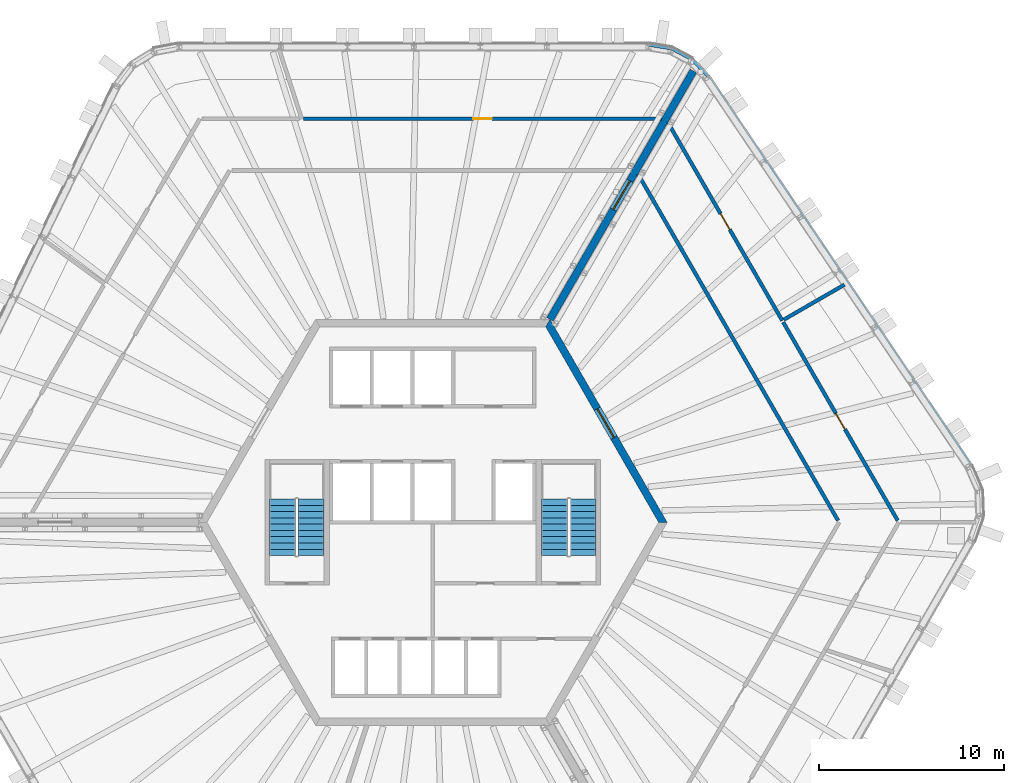
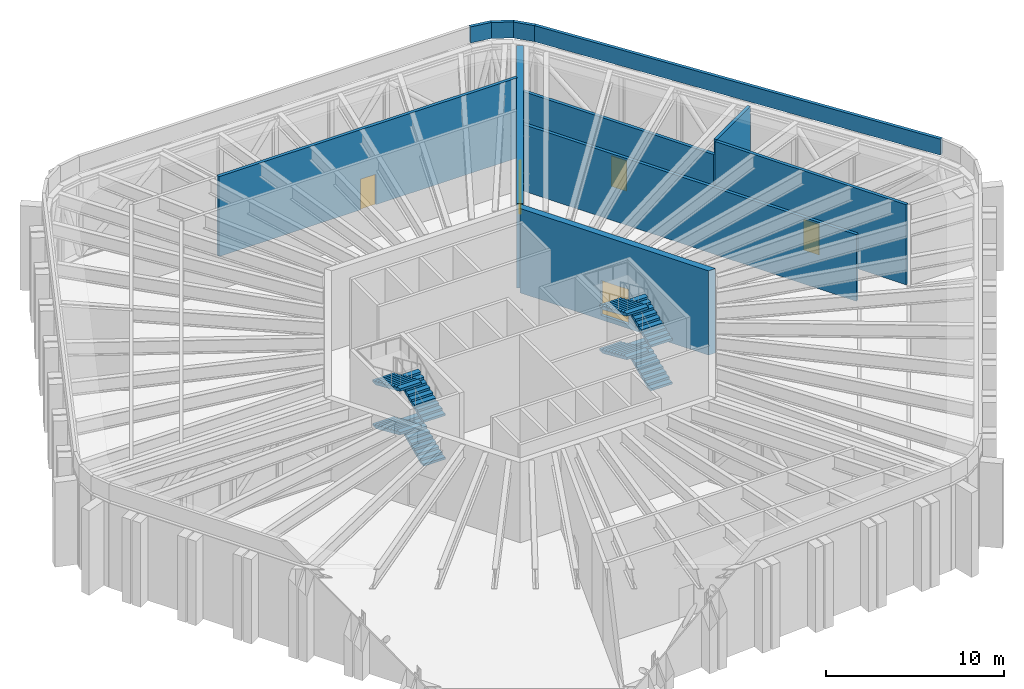
# One storey, part 12 of 19: 11 walls, 8 stair flights, 5 doors, 5 openings, 2 elements without a shape of their own.
"""IFC4 building model written with IfcOpenShell, lengths in metres."""

import ifcopenshell
import ifcopenshell.guid

model = None  # the IFC model being written
_history = None  # IfcOwnerHistory: only IFC2X3 demands one
_inside = {}  # id of a spatial element -> (the spatial element, [elements in it])
_under = {}  # id of a project, library or spatial element -> (it, [spatial elements below it])
_declared = {}  # id of a project -> (the project, [libraries it declares])
_typed = {}  # id of a type object -> (the type object, [elements of that type])
_made_of = {}  # id of a material, layer set ... -> (it, [elements and type objects made of it])


def new_model(schema):
    """Start an empty IFC model of exactly this schema.

    Asked for "IFC4X3", IfcOpenShell would pick the latest addendum, in which some entities
    have other attributes; the version numbers below select the first issue.
    IFC2X3 requires an IfcOwnerHistory on every rooted entity: one is made here for all.
    """
    global model, _history
    if schema == "IFC4X3":
        model = ifcopenshell.file(schema_version=(4, 3, 0, 0))
    else:
        model = ifcopenshell.file(schema=schema)
    _inside.clear()
    _under.clear()
    _declared.clear()
    _typed.clear()
    _made_of.clear()
    _history = None
    if model.schema == "IFC2X3":
        org = make("IfcOrganization", Name="unknown")
        user = make(
            "IfcPersonAndOrganization",
            ThePerson=make("IfcPerson", FamilyName="unknown"),
            TheOrganization=org,
        )
        app = make(
            "IfcApplication",
            ApplicationDeveloper=org,
            Version="unknown",
            ApplicationFullName="unknown",
            ApplicationIdentifier="unknown",
        )
        _history = make(
            "IfcOwnerHistory",
            OwningUser=user,
            OwningApplication=app,
            ChangeAction="ADDED",
            CreationDate=0,
        )
    return model


def make(cls, **values):
    """One entity of the class cls with the attributes given. An attribute that is None is left unset."""
    return model.create_entity(
        cls, **{name: value for name, value in values.items() if value is not None}
    )


def rooted(cls, **values):
    """An entity with a GlobalId (a new one), such as an element, a storey or a relation."""
    return make(cls, GlobalId=ifcopenshell.guid.new(), OwnerHistory=_history, **values)


def si_unit(unit_type, name, prefix=None):
    """IfcSIUnit, for example si_unit("LENGTHUNIT", "METRE", prefix="MILLI")."""
    return make("IfcSIUnit", UnitType=unit_type, Prefix=prefix, Name=name)


def assignment(units):
    """IfcUnitAssignment: the units of a project."""
    return None if units is None else make("IfcUnitAssignment", Units=units)


def point(xyz):
    """IfcCartesianPoint."""
    return None if xyz is None else make("IfcCartesianPoint", Coordinates=xyz)


def direction(xyz):
    """IfcDirection."""
    return None if xyz is None else make("IfcDirection", DirectionRatios=xyz)


def frame(location, z_axis=None, x_axis=None):
    """IfcAxis2Placement3D, a coordinate frame: its origin and axes. An axis left out is left unset."""
    return make(
        "IfcAxis2Placement3D",
        Location=point(location),
        Axis=direction(z_axis),
        RefDirection=direction(x_axis),
    )


def frame_2d(location, x_axis=None):
    """IfcAxis2Placement2D, a coordinate frame in the plane: its origin and x axis."""
    return make(
        "IfcAxis2Placement2D", Location=point(location), RefDirection=direction(x_axis)
    )


def origin():
    """The frame at (0, 0, 0) with its axes left unset."""
    return frame((0.0, 0.0, 0.0))


def place(relative_to, where):
    """IfcLocalPlacement: puts the frame where relative to a parent placement (None: the world)."""
    return make(
        "IfcLocalPlacement", PlacementRelTo=relative_to, RelativePlacement=where
    )


def context(
    kind, dimensions, precision=None, world=None, true_north=None, identifier=None
):
    """IfcGeometricRepresentationContext, for example the 3D "Model" context."""
    return make(
        "IfcGeometricRepresentationContext",
        ContextIdentifier=identifier,
        ContextType=kind,
        CoordinateSpaceDimension=dimensions,
        Precision=precision,
        WorldCoordinateSystem=world,
        TrueNorth=true_north,
    )


def subcontext(parent, identifier, kind, view, scale=None):
    """IfcGeometricRepresentationSubContext, for example "Body" below "Model"."""
    return make(
        "IfcGeometricRepresentationSubContext",
        ContextIdentifier=identifier,
        ContextType=kind,
        ParentContext=parent,
        TargetScale=scale,
        TargetView=view,
    )


def project(units=None, contexts=None):
    """IfcProject with its units and contexts."""
    return rooted(
        "IfcProject",
        Name="project",
        RepresentationContexts=contexts,
        UnitsInContext=assignment(units),
    )


def spatial(cls, under=None, at=None, **own):
    """A site, building, storey or space (cls), placed at a placement, below another one or the project."""
    s = rooted(cls, ObjectPlacement=at, **own)
    if under is not None:
        _under.setdefault(under.id(), (under, []))[1].append(s)
    return s


def polyline(points):
    """IfcPolyline through the points."""
    return make("IfcPolyline", Points=[point(p) for p in points])


def profile(cls, at=None, kind="AREA", **sizes):
    """A parametric profile (cls). Its sizes go by their IFC names, for example OverallWidth=200.0."""
    return make(cls, ProfileType=kind, Position=at, **sizes)


def rectangle(**sizes):
    """IfcRectangleProfileDef."""
    return profile("IfcRectangleProfileDef", **sizes)


def outline(outer, holes=None, kind="AREA"):
    """IfcArbitraryClosedProfileDef: a profile drawn as a closed curve; with holes, ...WithVoids."""
    if holes is None:
        return make("IfcArbitraryClosedProfileDef", ProfileType=kind, OuterCurve=outer)
    return make(
        "IfcArbitraryProfileDefWithVoids",
        ProfileType=kind,
        OuterCurve=outer,
        InnerCurves=holes,
    )


def extrude(swept, where, along, depth):
    """IfcExtrudedAreaSolid: the profile swept, set in the frame where, extruded along a direction by depth."""
    return make(
        "IfcExtrudedAreaSolid",
        SweptArea=swept,
        Position=where,
        ExtrudedDirection=direction(along),
        Depth=depth,
    )


def shape(context_of_items, identifier, shape_type, items):
    """IfcShapeRepresentation: the items that make up one representation, for example the "Body"."""
    return make(
        "IfcShapeRepresentation",
        ContextOfItems=context_of_items,
        RepresentationIdentifier=identifier,
        RepresentationType=shape_type,
        Items=items,
    )


def material(Name=None, Category=None):
    """IfcMaterial."""
    return make("IfcMaterial", Name=Name, Category=Category)


def layer(
    of_material, thickness, ventilated=None, Name=None, Category=None, Priority=None
):
    """IfcMaterialLayer: one layer of a wall or slab, of a material (None: an air gap)."""
    return make(
        "IfcMaterialLayer",
        Material=of_material,
        LayerThickness=thickness,
        IsVentilated=ventilated,
        Name=Name,
        Category=Category,
        Priority=Priority,
    )


def layer_set(layers, Name=None):
    """IfcMaterialLayerSet."""
    return make("IfcMaterialLayerSet", MaterialLayers=layers, LayerSetName=Name)


def made_of(thing, what):
    """Note that an element or type object is made of a material, layer set ...; save() writes the relation."""
    if what is not None:
        _made_of.setdefault(what.id(), (what, []))[1].append(thing)
    return thing


def type_object(cls, material=None, **own):
    """A type object (cls), such as IfcWallType, which elements share."""
    return made_of(rooted(cls, **own), material)


def element(
    cls,
    number,
    at=None,
    inside=None,
    cuts=None,
    type_object=None,
    material=None,
    context=None,
    identifier="Body",
    shape_type=None,
    held_by="IfcProductDefinitionShape",
    body=None,
    shapes=None,
    **own,
):
    """One element of the class cls, such as IfcWall. Its Tag is "e" and its number.

    at: its placement. inside: the storey or other place that contains it. cuts: it is an
    opening in that element (IfcRelVoidsElement). A single representation is given by context,
    identifier, shape_type and body (its items); several are given by shapes. held_by: the class
    of the entity that holds the representations. save() writes the other relations.
    """
    e = rooted(cls, Tag="e%d" % number, ObjectPlacement=at, **own)
    if body is not None:
        shapes = [shape(context, identifier, shape_type, body)]
    if shapes is not None:
        e.Representation = make(held_by, Representations=shapes)
    if inside is not None:
        _inside.setdefault(inside.id(), (inside, []))[1].append(e)
    if cuts is not None:
        rooted(
            "IfcRelVoidsElement", RelatingBuildingElement=cuts, RelatedOpeningElement=e
        )
    if type_object is not None:
        _typed.setdefault(type_object.id(), (type_object, []))[1].append(e)
    return made_of(e, material)


def fill(opening, filler):
    """IfcRelFillsElement: the door or window that sits in an opening."""
    return rooted(
        "IfcRelFillsElement",
        RelatingOpeningElement=opening,
        RelatedBuildingElement=filler,
    )


def aggregate(whole, parts):
    """IfcRelAggregates: a whole, such as a stair, and the parts it consists of."""
    return rooted("IfcRelAggregates", RelatingObject=whole, RelatedObjects=parts)


def save(model, path):
    """Write the relations noted so far, then the file.

    IfcRelAggregates (storeys below a building ...), IfcRelContainedInSpatialStructure (elements
    in a storey), IfcRelDefinesByType, IfcRelAssociatesMaterial and IfcRelDeclares: one each for
    every whole, place, type object, material and project.
    """
    for whole, parts in _under.values():
        aggregate(whole, parts)
    for where, things in _inside.values():
        rooted(
            "IfcRelContainedInSpatialStructure",
            RelatedElements=things,
            RelatingStructure=where,
        )
    for kind, things in _typed.values():
        rooted("IfcRelDefinesByType", RelatedObjects=things, RelatingType=kind)
    for what, things in _made_of.values():
        rooted("IfcRelAssociatesMaterial", RelatedObjects=things, RelatingMaterial=what)
    for by, libraries in _declared.values():
        rooted("IfcRelDeclares", RelatingContext=by, RelatedDefinitions=libraries)
    model.write(path)


model = new_model("IFC4")

# Units and contexts
model_context = context("Model", 3, precision=1e-05, world=origin(), true_north=direction((0.0, 1.0)))
body_context = subcontext(model_context, "Body", "Model", "MODEL_VIEW")
ifc_project = project(units=[si_unit("LENGTHUNIT", "METRE"), si_unit("AREAUNIT", "SQUARE_METRE"), si_unit("VOLUMEUNIT", "CUBIC_METRE"), si_unit("PLANEANGLEUNIT", "RADIAN"), si_unit("MASSUNIT", "GRAM", prefix="KILO")], contexts=[model_context])

# Site, building, storey
site_placement = place(None, origin())
site = spatial("IfcSite", under=ifc_project, at=site_placement, CompositionType="ELEMENT")
building_placement = place(site_placement, origin())
building = spatial("IfcBuilding", under=site, at=building_placement, Name="Tarnside Tower", CompositionType="ELEMENT")
storey_placement = place(building_placement, frame((0.0, 0.0, 343.5)))
storey = spatial("IfcBuildingStorey", under=building, at=storey_placement, Name="L83", CompositionType="ELEMENT", Elevation=343.5)

# Wall, opening, door
ifc_material_1 = material(Name="Concrete C60/75", Category="concrete")
ifc_layer_1 = layer(ifc_material_1, 0.39990234375)
ifc_layer_set_1 = layer_set([ifc_layer_1], Name="Core wall Z3 400 C60/75")
wall_type_1 = type_object("IfcWallType", Name="Core wall Z3 400 C60/75", PredefinedType="SHEAR", material=ifc_layer_set_1)
wall_1_placement = place(storey_placement, frame((12.470703125, 0.0, -0.300048828125), z_axis=(0.0, 0.0, 1.0), x_axis=(-0.499996419489, 0.866027470984, 0.0)))
wall_1 = element("IfcWall", 1, at=wall_1_placement, inside=storey, type_object=wall_type_1, Name="L83 core wall face 6", PredefinedType="SHEAR", context=body_context, shape_type="SweptSolid", body=[
    extrude(outline(polyline([(-0.115478515625, -0.199951171875), (12.586181640625, -0.199951171875), (12.355224609375, 0.199951171875), (0.115478515625, 0.199951171875), (-0.115478515625, -0.199951171875)])), origin(), (0.0, 0.0, 1.0), 5.800048828125),
])
opening_1_placement = place(wall_1_placement, frame((5.306396484375, 0.0, 0.300048828125)))
opening_1 = element("IfcOpeningElement", 2, at=opening_1_placement, cuts=wall_1, Name="Opening CD-LOB", PredefinedType="OPENING", context=body_context, shape_type="SweptSolid", body=[
    extrude(rectangle(XDim=1.800048828125, YDim=2.39990234375, at=frame_2d((0.89990234375, 1.199951171875))), frame((0.0, 0.2099609375, 0.0), z_axis=(0.0, -1.0, 0.0), x_axis=(1.0, 0.0, 0.0)), (0.0, 0.0, 1.0), 0.419921875),
])
ifc_material_2 = material(Name="Steel fire door", Category="steel")
door_type_1 = type_object("IfcDoorType", Name="Lobby double door FD30S 1800x2400", OperationType="NOTDEFINED", PredefinedType="DOOR", material=ifc_material_2)
door_1_placement = place(opening_1_placement, origin())
door_1 = element("IfcDoor", 3, at=door_1_placement, inside=storey, type_object=door_type_1, Name="L83 core door P2", OperationType="DOUBLE_DOOR_SINGLE_SWING", OverallHeight=2.39990234375, OverallWidth=1.800048828125, PredefinedType="DOOR", context=body_context, shape_type="SweptSolid", body=[
    extrude(rectangle(XDim=1.800048828125, YDim=2.39990234375, at=frame_2d((0.89990234375, 1.199951171875))), frame((0.0, 0.02490234375, 0.0), z_axis=(0.0, -1.0, 0.0), x_axis=(1.0, 0.0, 0.0)), (0.0, 0.0, 1.0), 0.050048828125),
])
fill(opening_1, door_1)

wall_2_placement = place(storey_placement, frame((6.350830078125, 11.0, -0.300048828125), z_axis=(0.0, 0.0, 1.0), x_axis=(0.499998894578, 0.866026041999, 0.0)))
wall_2 = element("IfcWall", 4, at=wall_2_placement, inside=storey, type_object=wall_type_1, Name="L83 spine wall 1", PredefinedType="SHEAR", context=body_context, shape_type="SweptSolid", body=[
    extrude(rectangle(XDim=15.54443359375, YDim=0.39990234375, at=frame_2d((7.772216796875, 0.0))), origin(), (0.0, 0.0, 1.0), 5.800048828125),
])
opening_2_placement = place(wall_2_placement, frame((6.872314453125, 0.0, 0.300048828125)))
opening_2 = element("IfcOpeningElement", 5, at=opening_2_placement, cuts=wall_2, Name="Opening CD-SPN", PredefinedType="OPENING", context=body_context, shape_type="SweptSolid", body=[
    extrude(rectangle(XDim=1.800048828125, YDim=2.39990234375, at=frame_2d((0.89990234375, 1.199951171875))), frame((0.0, 0.2099609375, 0.0), z_axis=(0.0, -1.0, 0.0), x_axis=(1.0, 0.0, 0.0)), (0.0, 0.0, 1.0), 0.419921875),
])
door_type_2 = type_object("IfcDoorType", Name="Spine passage double door FD60 1800x2400", OperationType="NOTDEFINED", PredefinedType="DOOR", material=ifc_material_2)
door_2_placement = place(opening_2_placement, origin())
door_2 = element("IfcDoor", 6, at=door_2_placement, inside=storey, type_object=door_type_2, Name="L83 spine passage door 1", OperationType="DOUBLE_DOOR_SINGLE_SWING", OverallHeight=2.39990234375, OverallWidth=1.800048828125, PredefinedType="DOOR", context=body_context, shape_type="SweptSolid", body=[
    extrude(rectangle(XDim=1.800048828125, YDim=2.39990234375, at=frame_2d((0.89990234375, 1.199951171875))), frame((0.0, 0.02490234375, 0.0), z_axis=(0.0, -1.0, 0.0), x_axis=(1.0, 0.0, 0.0)), (0.0, 0.0, 1.0), 0.050048828125),
])
fill(opening_2, door_2)

# Walls
ifc_material_3 = material(Name="Concrete C35/45 precast", Category="concrete")
ifc_layer_2 = layer(ifc_material_3, 0.199951171875)
ifc_layer_set_2 = layer_set([ifc_layer_2], Name="Parapet 200 x 1100")
wall_type_2 = type_object("IfcWallType", Name="Parapet 200 x 1100", PredefinedType="PARAPET", material=ifc_layer_set_2)
wall_3_placement = place(storey_placement, frame((11.689453125, 25.89990234375, 5.699951171875), z_axis=(0.0, 0.0, 1.0), x_axis=(0.9867748983, -0.162096576412, 0.0)))
element("IfcWall", 7, at=wall_3_placement, inside=storey, type_object=wall_type_2, Name="Roof parapet 01", PredefinedType="PARAPET", context=body_context, shape_type="SweptSolid", body=[
    extrude(outline(polyline([(0.008056640625, -0.10009765625), (1.25634765625, -0.10009765625), (1.2890625, 0.10009765625), (-0.008056640625, 0.10009765625), (0.008056640625, -0.10009765625)])), origin(), (0.0, 0.0, 1.0), 1.10009765625),
])
wall_4_placement = place(storey_placement, frame((12.9453125, 25.693603515625, 5.699951171875), z_axis=(0.0, 0.0, 1.0), x_axis=(0.882950708751, -0.469465702598, 0.0)))
element("IfcWall", 8, at=wall_4_placement, inside=storey, type_object=wall_type_2, Name="Roof parapet 02", PredefinedType="PARAPET", context=body_context, shape_type="SweptSolid", body=[
    extrude(outline(polyline([(0.016357421875, -0.10009765625), (1.248291015625, -0.10009765625), (1.281005859375, 0.10009765625), (-0.016357421875, 0.10009765625), (0.016357421875, -0.10009765625)])), origin(), (0.0, 0.0, 1.0), 1.10009765625),
])
wall_5_placement = place(storey_placement, frame((14.06201171875, 25.099853515625, 5.699951171875), z_axis=(0.0, 0.0, 1.0), x_axis=(0.686184039693, -0.727427978339, 0.0)))
element("IfcWall", 9, at=wall_5_placement, inside=storey, type_object=wall_type_2, Name="Roof parapet 03", PredefinedType="PARAPET", context=body_context, shape_type="SweptSolid", body=[
    extrude(outline(polyline([(0.016357421875, -0.10009765625), (1.2646484375, -0.10009765625), (1.28076171875, 0.10009765625), (-0.016357421875, 0.10009765625), (0.016357421875, -0.10009765625)])), origin(), (0.0, 0.0, 1.0), 1.10009765625),
])
wall_6_placement = place(storey_placement, frame((14.935302734375, 24.174072265625, 5.699951171875), z_axis=(0.0, 0.0, 1.0), x_axis=(0.559194464979, -0.829036519302, 0.0)))
element("IfcWall", 10, at=wall_6_placement, inside=storey, type_object=wall_type_2, Name="Roof parapet 04", PredefinedType="PARAPET", context=body_context, shape_type="SweptSolid", body=[
    extrude(outline(polyline([(0.008056640625, -0.10009765625), (25.41796875, -0.10009765625), (25.4365234375, 0.10009765625), (-0.008056640625, 0.10009765625), (0.008056640625, -0.10009765625)])), origin(), (0.0, 0.0, 1.0), 1.10009765625),
])

# Wall, opening, door
ifc_material_4 = material(Name="Concrete C32/40", Category="concrete")
ifc_layer_3 = layer(ifc_material_4, 0.199951171875)
ifc_layer_set_3 = layer_set([ifc_layer_3], Name="Wall 200 reinforced Concrete C32/40")
wall_type_3 = type_object("IfcWallType", Name="Wall 200 reinforced Concrete C32/40", PredefinedType="PARTITIONING", material=ifc_layer_set_3)
wall_7_placement = place(storey_placement, frame((-7.0009765625, 21.8701171875, 0.0), z_axis=(0.0, 0.0, 1.0), x_axis=(1.0, 0.0, 0.0)))
wall_7 = element("IfcWall", 11, at=wall_7_placement, inside=storey, type_object=wall_type_3, Name="Partition 015", PredefinedType="PARTITIONING", context=body_context, shape_type="SweptSolid", body=[
    extrude(rectangle(XDim=19.39697265625, YDim=0.199951171875, at=frame_2d((9.698486328125, 0.0))), origin(), (0.0, 0.0, 1.0), 5.5),
])
opening_3_placement = place(wall_7_placement, frame((9.198486328125, 0.0, 0.0)))
opening_3 = element("IfcOpeningElement", 12, at=opening_3_placement, cuts=wall_7, Name="Opening D1000F60", PredefinedType="OPENING", context=body_context, shape_type="SweptSolid", body=[
    extrude(rectangle(XDim=1.0, YDim=2.10009765625, at=frame_2d((0.5, 1.050048828125))), frame((0.0, 0.10986328125, 0.0), z_axis=(0.0, -1.0, 0.0), x_axis=(1.0, 0.0, 0.0)), (0.0, 0.0, 1.0), 0.219970703125),
])
ifc_material_5 = material(Name="Timber door leaf", Category="wood")
door_type_3 = type_object("IfcDoorType", Name="Door 1000 x 2100 single leaf FD60 fire door", OperationType="NOTDEFINED", PredefinedType="DOOR", material=ifc_material_5)
door_3_placement = place(opening_3_placement, origin())
door_3 = element("IfcDoor", 13, at=door_3_placement, inside=storey, type_object=door_type_3, Name="Door L83-09", OperationType="SINGLE_SWING_RIGHT", OverallHeight=2.10009765625, OverallWidth=1.0, PredefinedType="DOOR", context=body_context, shape_type="SweptSolid", body=[
    extrude(rectangle(XDim=1.0, YDim=2.10009765625, at=frame_2d((0.5, 1.050048828125))), frame((0.0, 0.02490234375, 0.0), z_axis=(0.0, -1.0, 0.0), x_axis=(1.0, 0.0, 0.0)), (0.0, 0.0, 1.0), 0.050048828125),
])
fill(opening_3, door_3)

wall_8_placement = place(storey_placement, frame((12.741943359375, 21.669921875, 0.0), z_axis=(0.0, 0.0, 1.0), x_axis=(0.500013422481, -0.866017654173, 0.0)))
wall_8 = element("IfcWall", 14, at=wall_8_placement, inside=storey, type_object=wall_type_3, Name="Partition 017", PredefinedType="PARTITIONING", context=body_context, shape_type="SweptSolid", body=[
    extrude(rectangle(XDim=12.395751953125, YDim=0.199951171875, at=frame_2d((6.19775390625, 0.0))), origin(), (0.0, 0.0, 1.0), 4.573486328125),
])
opening_4_placement = place(wall_8_placement, frame((5.697998046875, 0.0, 0.0)))
opening_4 = element("IfcOpeningElement", 15, at=opening_4_placement, cuts=wall_8, Name="Opening D1000F60", PredefinedType="OPENING", context=body_context, shape_type="SweptSolid", body=[
    extrude(rectangle(XDim=1.0, YDim=2.10009765625, at=frame_2d((0.5, 1.050048828125))), frame((0.0, 0.10986328125, 0.0), z_axis=(0.0, -1.0, 0.0), x_axis=(1.0, 0.0, 0.0)), (0.0, 0.0, 1.0), 0.219970703125),
])
door_4_placement = place(opening_4_placement, origin())
door_4 = element("IfcDoor", 16, at=door_4_placement, inside=storey, type_object=door_type_3, Name="Door L83-11", OperationType="SINGLE_SWING_RIGHT", OverallHeight=2.10009765625, OverallWidth=1.0, PredefinedType="DOOR", context=body_context, shape_type="SweptSolid", body=[
    extrude(rectangle(XDim=1.0, YDim=2.10009765625, at=frame_2d((0.5, 1.050048828125))), frame((0.0, 0.02490234375, 0.0), z_axis=(0.0, -1.0, 0.0), x_axis=(1.0, 0.0, 0.0)), (0.0, 0.0, 1.0), 0.050048828125),
])
fill(opening_4, door_4)

# Walls
wall_9_placement = place(storey_placement, frame((21.962158203125, 0.10009765625, 0.0), z_axis=(0.0, 0.0, 1.0), x_axis=(-0.499975977678, 0.866039272634, 0.0)))
element("IfcWall", 17, at=wall_9_placement, inside=storey, type_object=wall_type_3, Name="Partition 019", PredefinedType="PARTITIONING", context=body_context, shape_type="SweptSolid", body=[
    extrude(rectangle(XDim=21.67333984375, YDim=0.199951171875, at=frame_2d((10.836669921875, 0.0))), origin(), (0.0, 0.0, 1.0), 4.573486328125),
])
wall_10_placement = place(storey_placement, frame((22.311279296875, 12.881103515625, 0.0), z_axis=(0.0, 0.0, 1.0), x_axis=(-0.866071964568, -0.499919345684, 0.0)))
element("IfcWall", 18, at=wall_10_placement, inside=storey, type_object=wall_type_3, Name="Partition 020", PredefinedType="PARTITIONING", context=body_context, shape_type="SweptSolid", body=[
    extrude(rectangle(XDim=3.792724609375, YDim=0.199951171875, at=frame_2d((1.896484375, 0.0))), origin(), (0.0, 0.0, 1.0), 5.5),
])

# Wall, opening, door
wall_11_placement = place(storey_placement, frame((18.989990234375, 10.848388671875, 0.0), z_axis=(0.0, 0.0, 1.0), x_axis=(0.499987524342, -0.866032606489, 0.0)))
wall_11 = element("IfcWall", 19, at=wall_11_placement, inside=storey, type_object=wall_type_3, Name="Partition 022", PredefinedType="PARTITIONING", context=body_context, shape_type="SweptSolid", body=[
    extrude(rectangle(XDim=12.410888671875, YDim=0.199951171875, at=frame_2d((6.20556640625, 0.0))), origin(), (0.0, 0.0, 1.0), 5.5),
])
opening_5_placement = place(wall_11_placement, frame((5.70556640625, 0.0, 0.0)))
opening_5 = element("IfcOpeningElement", 20, at=opening_5_placement, cuts=wall_11, Name="Opening D1000F60", PredefinedType="OPENING", context=body_context, shape_type="SweptSolid", body=[
    extrude(rectangle(XDim=1.0, YDim=2.10009765625, at=frame_2d((0.5, 1.050048828125))), frame((0.0, 0.10986328125, 0.0), z_axis=(0.0, -1.0, 0.0), x_axis=(1.0, 0.0, 0.0)), (0.0, 0.0, 1.0), 0.219970703125),
])
door_5_placement = place(opening_5_placement, origin())
door_5 = element("IfcDoor", 21, at=door_5_placement, inside=storey, type_object=door_type_3, Name="Door L83-13", OperationType="SINGLE_SWING_RIGHT", OverallHeight=2.10009765625, OverallWidth=1.0, PredefinedType="DOOR", context=body_context, shape_type="SweptSolid", body=[
    extrude(rectangle(XDim=1.0, YDim=2.10009765625, at=frame_2d((0.5, 1.050048828125))), frame((0.0, 0.02490234375, 0.0), z_axis=(0.0, -1.0, 0.0), x_axis=(1.0, 0.0, 0.0)), (0.0, 0.0, 1.0), 0.050048828125),
])
fill(opening_5, door_5)

# Stair, stair flights
ifc_material_6 = material(Name="Concrete C40/50", Category="concrete")
stair_type = type_object("IfcStairType", Name="Exit stair 1400 clear", PredefinedType="HALF_TURN_STAIR", material=ifc_material_6)
stair_1_placement = place(storey_placement, origin())
stair_1 = element("IfcStair", 22, at=stair_1_placement, inside=storey, type_object=stair_type, Name="L83 Exit stair 1", PredefinedType="HALF_TURN_STAIR")
stair_flight_type = type_object("IfcStairFlightType", Name="Exit stair flight 1400", PredefinedType="STRAIGHT", material=ifc_material_6)
stair_flight_1_placement = place(storey_placement, frame((8.14990234375, -1.800048828125, 0.0), z_axis=(0.0, 0.0, 1.0), x_axis=(0.0, 1.0, 0.0)))
stair_flight_1 = element("IfcStairFlight", 23, at=stair_flight_1_placement, type_object=stair_flight_type, Name="ST1 flight 1", NumberOfRisers=10, NumberOfTreads=9, PredefinedType="STRAIGHT", RiserHeight=0.15, TreadLength=0.34, context=body_context, shape_type="SweptSolid", body=[
    extrude(outline(polyline([(0.0, 0.0), (0.0, 0.14990234375), (0.340087890625, 0.14990234375), (0.340087890625, 0.300048828125), (0.679931640625, 0.300048828125), (0.679931640625, 0.449951171875), (1.02001953125, 0.449951171875), (1.02001953125, 0.60009765625), (1.360107421875, 0.60009765625), (1.360107421875, 0.75), (1.699951171875, 0.75), (1.699951171875, 0.89990234375), (2.0400390625, 0.89990234375), (2.0400390625, 1.050048828125), (2.3798828125, 1.050048828125), (2.3798828125, 1.199951171875), (2.719970703125, 1.199951171875), (2.719970703125, 1.35009765625), (3.06005859375, 1.35009765625), (3.06005859375, 1.5), (3.06005859375, 1.186279296875), (0.371337890625, 0.0), (0.0, 0.0)])), frame((0.0, 0.699951171875, 0.0), z_axis=(0.0, -1.0, 0.0), x_axis=(1.0, 0.0, 0.0)), (0.0, 0.0, 1.0), 1.39990234375),
])
stair_flight_2_placement = place(storey_placement, frame((6.60009765625, 1.260009765625, 1.5), z_axis=(0.0, 0.0, 1.0), x_axis=(0.0, -1.0, 0.0)))
stair_flight_2 = element("IfcStairFlight", 24, at=stair_flight_2_placement, type_object=stair_flight_type, Name="ST1 flight 2", NumberOfRisers=10, NumberOfTreads=9, PredefinedType="STRAIGHT", RiserHeight=0.15, TreadLength=0.34, context=body_context, shape_type="SweptSolid", body=[
    extrude(outline(polyline([(0.0, 0.0), (0.0, 0.14990234375), (0.340087890625, 0.14990234375), (0.340087890625, 0.300048828125), (0.679931640625, 0.300048828125), (0.679931640625, 0.449951171875), (1.02001953125, 0.449951171875), (1.02001953125, 0.60009765625), (1.360107421875, 0.60009765625), (1.360107421875, 0.75), (1.699951171875, 0.75), (1.699951171875, 0.89990234375), (2.0400390625, 0.89990234375), (2.0400390625, 1.050048828125), (2.3798828125, 1.050048828125), (2.3798828125, 1.199951171875), (2.719970703125, 1.199951171875), (2.719970703125, 1.35009765625), (3.06005859375, 1.35009765625), (3.06005859375, 1.5), (3.06005859375, 1.186279296875), (0.371337890625, 0.0), (0.0, 0.0)])), frame((0.0, 0.699951171875, 0.0), z_axis=(0.0, -1.0, 0.0), x_axis=(1.0, 0.0, 0.0)), (0.0, 0.0, 1.0), 1.39990234375),
])
stair_flight_3_placement = place(storey_placement, frame((8.14990234375, -1.800048828125, 3.0), z_axis=(0.0, 0.0, 1.0), x_axis=(0.0, 1.0, 0.0)))
stair_flight_3 = element("IfcStairFlight", 25, at=stair_flight_3_placement, type_object=stair_flight_type, Name="ST1 flight 3", NumberOfRisers=10, NumberOfTreads=9, PredefinedType="STRAIGHT", RiserHeight=0.15, TreadLength=0.34, context=body_context, shape_type="SweptSolid", body=[
    extrude(outline(polyline([(0.0, 0.0), (0.0, 0.14990234375), (0.340087890625, 0.14990234375), (0.340087890625, 0.300048828125), (0.679931640625, 0.300048828125), (0.679931640625, 0.449951171875), (1.02001953125, 0.449951171875), (1.02001953125, 0.60009765625), (1.360107421875, 0.60009765625), (1.360107421875, 0.75), (1.699951171875, 0.75), (1.699951171875, 0.89990234375), (2.0400390625, 0.89990234375), (2.0400390625, 1.050048828125), (2.3798828125, 1.050048828125), (2.3798828125, 1.199951171875), (2.719970703125, 1.199951171875), (2.719970703125, 1.35009765625), (3.06005859375, 1.35009765625), (3.06005859375, 1.5), (3.06005859375, 1.186279296875), (0.371337890625, 0.0), (0.0, 0.0)])), frame((0.0, 0.699951171875, 0.0), z_axis=(0.0, -1.0, 0.0), x_axis=(1.0, 0.0, 0.0)), (0.0, 0.0, 1.0), 1.39990234375),
])
stair_flight_4_placement = place(storey_placement, frame((6.60009765625, 1.260009765625, 4.5), z_axis=(0.0, 0.0, 1.0), x_axis=(0.0, -1.0, 0.0)))
stair_flight_4 = element("IfcStairFlight", 26, at=stair_flight_4_placement, type_object=stair_flight_type, Name="ST1 flight 4", NumberOfRisers=10, NumberOfTreads=9, PredefinedType="STRAIGHT", RiserHeight=0.15, TreadLength=0.34, context=body_context, shape_type="SweptSolid", body=[
    extrude(outline(polyline([(0.0, 0.0), (0.0, 0.14990234375), (0.340087890625, 0.14990234375), (0.340087890625, 0.300048828125), (0.679931640625, 0.300048828125), (0.679931640625, 0.449951171875), (1.02001953125, 0.449951171875), (1.02001953125, 0.60009765625), (1.360107421875, 0.60009765625), (1.360107421875, 0.75), (1.699951171875, 0.75), (1.699951171875, 0.89990234375), (2.0400390625, 0.89990234375), (2.0400390625, 1.050048828125), (2.3798828125, 1.050048828125), (2.3798828125, 1.199951171875), (2.719970703125, 1.199951171875), (2.719970703125, 1.35009765625), (3.06005859375, 1.35009765625), (3.06005859375, 1.5), (3.06005859375, 1.186279296875), (0.371337890625, 0.0), (0.0, 0.0)])), frame((0.0, 0.699951171875, 0.0), z_axis=(0.0, -1.0, 0.0), x_axis=(1.0, 0.0, 0.0)), (0.0, 0.0, 1.0), 1.39990234375),
])
aggregate(stair_1, [stair_flight_1, stair_flight_2, stair_flight_3, stair_flight_4])

stair_2_placement = place(storey_placement, origin())
stair_2 = element("IfcStair", 27, at=stair_2_placement, inside=storey, type_object=stair_type, Name="L83 Exit stair 2", PredefinedType="HALF_TURN_STAIR")
stair_flight_5_placement = place(storey_placement, frame((-6.60009765625, -1.800048828125, 0.0), z_axis=(0.0, 0.0, 1.0), x_axis=(0.0, 1.0, 0.0)))
stair_flight_5 = element("IfcStairFlight", 28, at=stair_flight_5_placement, type_object=stair_flight_type, Name="ST2 flight 1", NumberOfRisers=10, NumberOfTreads=9, PredefinedType="STRAIGHT", RiserHeight=0.15, TreadLength=0.34, context=body_context, shape_type="SweptSolid", body=[
    extrude(outline(polyline([(0.0, 0.0), (0.0, 0.14990234375), (0.340087890625, 0.14990234375), (0.340087890625, 0.300048828125), (0.679931640625, 0.300048828125), (0.679931640625, 0.449951171875), (1.02001953125, 0.449951171875), (1.02001953125, 0.60009765625), (1.360107421875, 0.60009765625), (1.360107421875, 0.75), (1.699951171875, 0.75), (1.699951171875, 0.89990234375), (2.0400390625, 0.89990234375), (2.0400390625, 1.050048828125), (2.3798828125, 1.050048828125), (2.3798828125, 1.199951171875), (2.719970703125, 1.199951171875), (2.719970703125, 1.35009765625), (3.06005859375, 1.35009765625), (3.06005859375, 1.5), (3.06005859375, 1.186279296875), (0.371337890625, 0.0), (0.0, 0.0)])), frame((0.0, 0.699951171875, 0.0), z_axis=(0.0, -1.0, 0.0), x_axis=(1.0, 0.0, 0.0)), (0.0, 0.0, 1.0), 1.39990234375),
])
stair_flight_6_placement = place(storey_placement, frame((-8.14990234375, 1.260009765625, 1.5), z_axis=(0.0, 0.0, 1.0), x_axis=(0.0, -1.0, 0.0)))
stair_flight_6 = element("IfcStairFlight", 29, at=stair_flight_6_placement, type_object=stair_flight_type, Name="ST2 flight 2", NumberOfRisers=10, NumberOfTreads=9, PredefinedType="STRAIGHT", RiserHeight=0.15, TreadLength=0.34, context=body_context, shape_type="SweptSolid", body=[
    extrude(outline(polyline([(0.0, 0.0), (0.0, 0.14990234375), (0.340087890625, 0.14990234375), (0.340087890625, 0.300048828125), (0.679931640625, 0.300048828125), (0.679931640625, 0.449951171875), (1.02001953125, 0.449951171875), (1.02001953125, 0.60009765625), (1.360107421875, 0.60009765625), (1.360107421875, 0.75), (1.699951171875, 0.75), (1.699951171875, 0.89990234375), (2.0400390625, 0.89990234375), (2.0400390625, 1.050048828125), (2.3798828125, 1.050048828125), (2.3798828125, 1.199951171875), (2.719970703125, 1.199951171875), (2.719970703125, 1.35009765625), (3.06005859375, 1.35009765625), (3.06005859375, 1.5), (3.06005859375, 1.186279296875), (0.371337890625, 0.0), (0.0, 0.0)])), frame((0.0, 0.699951171875, 0.0), z_axis=(0.0, -1.0, 0.0), x_axis=(1.0, 0.0, 0.0)), (0.0, 0.0, 1.0), 1.39990234375),
])
stair_flight_7_placement = place(storey_placement, frame((-6.60009765625, -1.800048828125, 3.0), z_axis=(0.0, 0.0, 1.0), x_axis=(0.0, 1.0, 0.0)))
stair_flight_7 = element("IfcStairFlight", 30, at=stair_flight_7_placement, type_object=stair_flight_type, Name="ST2 flight 3", NumberOfRisers=10, NumberOfTreads=9, PredefinedType="STRAIGHT", RiserHeight=0.15, TreadLength=0.34, context=body_context, shape_type="SweptSolid", body=[
    extrude(outline(polyline([(0.0, 0.0), (0.0, 0.14990234375), (0.340087890625, 0.14990234375), (0.340087890625, 0.300048828125), (0.679931640625, 0.300048828125), (0.679931640625, 0.449951171875), (1.02001953125, 0.449951171875), (1.02001953125, 0.60009765625), (1.360107421875, 0.60009765625), (1.360107421875, 0.75), (1.699951171875, 0.75), (1.699951171875, 0.89990234375), (2.0400390625, 0.89990234375), (2.0400390625, 1.050048828125), (2.3798828125, 1.050048828125), (2.3798828125, 1.199951171875), (2.719970703125, 1.199951171875), (2.719970703125, 1.35009765625), (3.06005859375, 1.35009765625), (3.06005859375, 1.5), (3.06005859375, 1.186279296875), (0.371337890625, 0.0), (0.0, 0.0)])), frame((0.0, 0.699951171875, 0.0), z_axis=(0.0, -1.0, 0.0), x_axis=(1.0, 0.0, 0.0)), (0.0, 0.0, 1.0), 1.39990234375),
])
stair_flight_8_placement = place(storey_placement, frame((-8.14990234375, 1.260009765625, 4.5), z_axis=(0.0, 0.0, 1.0), x_axis=(0.0, -1.0, 0.0)))
stair_flight_8 = element("IfcStairFlight", 31, at=stair_flight_8_placement, type_object=stair_flight_type, Name="ST2 flight 4", NumberOfRisers=10, NumberOfTreads=9, PredefinedType="STRAIGHT", RiserHeight=0.15, TreadLength=0.34, context=body_context, shape_type="SweptSolid", body=[
    extrude(outline(polyline([(0.0, 0.0), (0.0, 0.14990234375), (0.340087890625, 0.14990234375), (0.340087890625, 0.300048828125), (0.679931640625, 0.300048828125), (0.679931640625, 0.449951171875), (1.02001953125, 0.449951171875), (1.02001953125, 0.60009765625), (1.360107421875, 0.60009765625), (1.360107421875, 0.75), (1.699951171875, 0.75), (1.699951171875, 0.89990234375), (2.0400390625, 0.89990234375), (2.0400390625, 1.050048828125), (2.3798828125, 1.050048828125), (2.3798828125, 1.199951171875), (2.719970703125, 1.199951171875), (2.719970703125, 1.35009765625), (3.06005859375, 1.35009765625), (3.06005859375, 1.5), (3.06005859375, 1.186279296875), (0.371337890625, 0.0), (0.0, 0.0)])), frame((0.0, 0.699951171875, 0.0), z_axis=(0.0, -1.0, 0.0), x_axis=(1.0, 0.0, 0.0)), (0.0, 0.0, 1.0), 1.39990234375),
])
aggregate(stair_2, [stair_flight_5, stair_flight_6, stair_flight_7, stair_flight_8])

save(model, "model.ifc")
